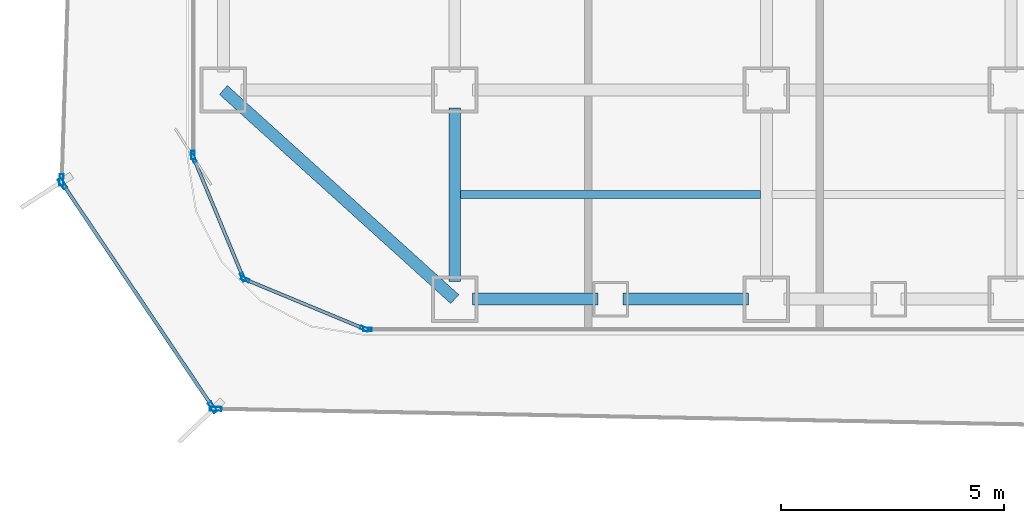
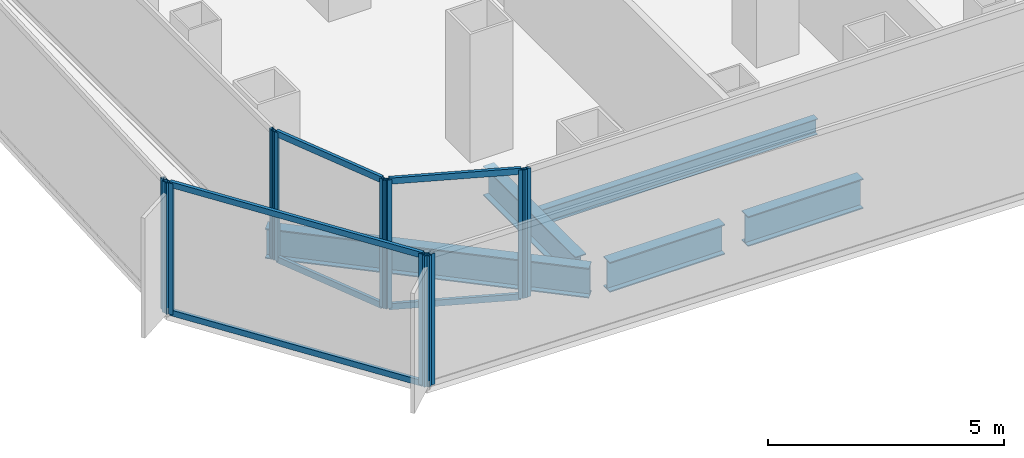
# One storey, part 2 of 22: 16 members, 5 beams, 7 elements without a shape of their own.
"""IFC4 building model written with IfcOpenShell, lengths in metres."""

import ifcopenshell
import ifcopenshell.guid

model = None  # the IFC model being written
_history = None  # IfcOwnerHistory: only IFC2X3 demands one
_inside = {}  # id of a spatial element -> (the spatial element, [elements in it])
_under = {}  # id of a project, library or spatial element -> (it, [spatial elements below it])
_declared = {}  # id of a project -> (the project, [libraries it declares])
_typed = {}  # id of a type object -> (the type object, [elements of that type])
_made_of = {}  # id of a material, layer set ... -> (it, [elements and type objects made of it])


def new_model(schema):
    """Start an empty IFC model of exactly this schema.

    Asked for "IFC4X3", IfcOpenShell would pick the latest addendum, in which some entities
    have other attributes; the version numbers below select the first issue.
    IFC2X3 requires an IfcOwnerHistory on every rooted entity: one is made here for all.
    """
    global model, _history
    if schema == "IFC4X3":
        model = ifcopenshell.file(schema_version=(4, 3, 0, 0))
    else:
        model = ifcopenshell.file(schema=schema)
    _inside.clear()
    _under.clear()
    _declared.clear()
    _typed.clear()
    _made_of.clear()
    _history = None
    if model.schema == "IFC2X3":
        org = make("IfcOrganization", Name="unknown")
        user = make(
            "IfcPersonAndOrganization",
            ThePerson=make("IfcPerson", FamilyName="unknown"),
            TheOrganization=org,
        )
        app = make(
            "IfcApplication",
            ApplicationDeveloper=org,
            Version="unknown",
            ApplicationFullName="unknown",
            ApplicationIdentifier="unknown",
        )
        _history = make(
            "IfcOwnerHistory",
            OwningUser=user,
            OwningApplication=app,
            ChangeAction="ADDED",
            CreationDate=0,
        )
    return model


def make(cls, **values):
    """One entity of the class cls with the attributes given. An attribute that is None is left unset."""
    return model.create_entity(
        cls, **{name: value for name, value in values.items() if value is not None}
    )


def rooted(cls, **values):
    """An entity with a GlobalId (a new one), such as an element, a storey or a relation."""
    return make(cls, GlobalId=ifcopenshell.guid.new(), OwnerHistory=_history, **values)


def si_unit(unit_type, name, prefix=None):
    """IfcSIUnit, for example si_unit("LENGTHUNIT", "METRE", prefix="MILLI")."""
    return make("IfcSIUnit", UnitType=unit_type, Prefix=prefix, Name=name)


def assignment(units):
    """IfcUnitAssignment: the units of a project."""
    return None if units is None else make("IfcUnitAssignment", Units=units)


def point(xyz):
    """IfcCartesianPoint."""
    return None if xyz is None else make("IfcCartesianPoint", Coordinates=xyz)


def direction(xyz):
    """IfcDirection."""
    return None if xyz is None else make("IfcDirection", DirectionRatios=xyz)


def frame(location, z_axis=None, x_axis=None):
    """IfcAxis2Placement3D, a coordinate frame: its origin and axes. An axis left out is left unset."""
    return make(
        "IfcAxis2Placement3D",
        Location=point(location),
        Axis=direction(z_axis),
        RefDirection=direction(x_axis),
    )


def frame_2d(location, x_axis=None):
    """IfcAxis2Placement2D, a coordinate frame in the plane: its origin and x axis."""
    return make(
        "IfcAxis2Placement2D", Location=point(location), RefDirection=direction(x_axis)
    )


def origin():
    """The frame at (0, 0, 0) with its axes left unset."""
    return frame((0.0, 0.0, 0.0))


def origin_2d():
    """The frame at (0, 0) in the plane with its x axis left unset."""
    return frame_2d((0.0, 0.0))


def place(relative_to, where):
    """IfcLocalPlacement: puts the frame where relative to a parent placement (None: the world)."""
    return make(
        "IfcLocalPlacement", PlacementRelTo=relative_to, RelativePlacement=where
    )


def context(
    kind, dimensions, precision=None, world=None, true_north=None, identifier=None
):
    """IfcGeometricRepresentationContext, for example the 3D "Model" context."""
    return make(
        "IfcGeometricRepresentationContext",
        ContextIdentifier=identifier,
        ContextType=kind,
        CoordinateSpaceDimension=dimensions,
        Precision=precision,
        WorldCoordinateSystem=world,
        TrueNorth=true_north,
    )


def subcontext(parent, identifier, kind, view, scale=None):
    """IfcGeometricRepresentationSubContext, for example "Body" below "Model"."""
    return make(
        "IfcGeometricRepresentationSubContext",
        ContextIdentifier=identifier,
        ContextType=kind,
        ParentContext=parent,
        TargetScale=scale,
        TargetView=view,
    )


def project(units=None, contexts=None):
    """IfcProject with its units and contexts."""
    return rooted(
        "IfcProject",
        Name="project",
        RepresentationContexts=contexts,
        UnitsInContext=assignment(units),
    )


def spatial(cls, under=None, at=None, **own):
    """A site, building, storey or space (cls), placed at a placement, below another one or the project."""
    s = rooted(cls, ObjectPlacement=at, **own)
    if under is not None:
        _under.setdefault(under.id(), (under, []))[1].append(s)
    return s


def profile(cls, at=None, kind="AREA", **sizes):
    """A parametric profile (cls). Its sizes go by their IFC names, for example OverallWidth=200.0."""
    return make(cls, ProfileType=kind, Position=at, **sizes)


def hollow_rectangle(**sizes):
    """IfcRectangleHollowProfileDef."""
    return profile("IfcRectangleHollowProfileDef", **sizes)


def i_section(**sizes):
    """IfcIShapeProfileDef."""
    return profile("IfcIShapeProfileDef", **sizes)


def extrude(swept, where, along, depth):
    """IfcExtrudedAreaSolid: the profile swept, set in the frame where, extruded along a direction by depth."""
    return make(
        "IfcExtrudedAreaSolid",
        SweptArea=swept,
        Position=where,
        ExtrudedDirection=direction(along),
        Depth=depth,
    )


def shape(context_of_items, identifier, shape_type, items):
    """IfcShapeRepresentation: the items that make up one representation, for example the "Body"."""
    return make(
        "IfcShapeRepresentation",
        ContextOfItems=context_of_items,
        RepresentationIdentifier=identifier,
        RepresentationType=shape_type,
        Items=items,
    )


def source(mapping_origin, context_of_items, identifier, shape_type, items):
    """IfcRepresentationMap: a shape defined once, which mapped items show again and again."""
    return make(
        "IfcRepresentationMap",
        MappingOrigin=mapping_origin,
        MappedRepresentation=shape(context_of_items, identifier, shape_type, items),
    )


def transform(
    local_origin,
    x_axis=None,
    y_axis=None,
    z_axis=None,
    scale=None,
    scale2=None,
    scale3=None,
    uniform=True,
):
    """IfcCartesianTransformationOperator3D, or its non-uniform kind. x_axis, y_axis, z_axis: its Axis1, 2, 3."""
    if uniform:
        return make(
            "IfcCartesianTransformationOperator3D",
            Axis1=direction(x_axis),
            Axis2=direction(y_axis),
            LocalOrigin=point(local_origin),
            Scale=scale,
            Axis3=direction(z_axis),
        )
    return make(
        "IfcCartesianTransformationOperator3DnonUniform",
        Axis1=direction(x_axis),
        Axis2=direction(y_axis),
        LocalOrigin=point(local_origin),
        Scale=scale,
        Axis3=direction(z_axis),
        Scale2=scale2,
        Scale3=scale3,
    )


def mapped(mapping_source, mapping_target):
    """IfcMappedItem: shows the shape of a source again, moved by a transform."""
    return make(
        "IfcMappedItem", MappingSource=mapping_source, MappingTarget=mapping_target
    )


def material(Name=None, Category=None):
    """IfcMaterial."""
    return make("IfcMaterial", Name=Name, Category=Category)


def layer(
    of_material, thickness, ventilated=None, Name=None, Category=None, Priority=None
):
    """IfcMaterialLayer: one layer of a wall or slab, of a material (None: an air gap)."""
    return make(
        "IfcMaterialLayer",
        Material=of_material,
        LayerThickness=thickness,
        IsVentilated=ventilated,
        Name=Name,
        Category=Category,
        Priority=Priority,
    )


def layer_set(layers, Name=None):
    """IfcMaterialLayerSet."""
    return make("IfcMaterialLayerSet", MaterialLayers=layers, LayerSetName=Name)


def material_profile(
    of_material, cross_section, Name=None, Category=None, Priority=None
):
    """IfcMaterialProfile: a cross section and its material."""
    return make(
        "IfcMaterialProfile",
        Name=Name,
        Material=of_material,
        Profile=cross_section,
        Priority=Priority,
        Category=Category,
    )


def profile_set(profiles, Name=None, composite=None):
    """IfcMaterialProfileSet."""
    return make(
        "IfcMaterialProfileSet",
        Name=Name,
        MaterialProfiles=profiles,
        CompositeProfile=composite,
    )


def made_of(thing, what):
    """Note that an element or type object is made of a material, layer set ...; save() writes the relation."""
    if what is not None:
        _made_of.setdefault(what.id(), (what, []))[1].append(thing)
    return thing


def type_object(cls, material=None, **own):
    """A type object (cls), such as IfcWallType, which elements share."""
    return made_of(rooted(cls, **own), material)


def element(
    cls,
    number,
    at=None,
    inside=None,
    cuts=None,
    type_object=None,
    material=None,
    context=None,
    identifier="Body",
    shape_type=None,
    held_by="IfcProductDefinitionShape",
    body=None,
    shapes=None,
    **own,
):
    """One element of the class cls, such as IfcWall. Its Tag is "e" and its number.

    at: its placement. inside: the storey or other place that contains it. cuts: it is an
    opening in that element (IfcRelVoidsElement). A single representation is given by context,
    identifier, shape_type and body (its items); several are given by shapes. held_by: the class
    of the entity that holds the representations. save() writes the other relations.
    """
    e = rooted(cls, Tag="e%d" % number, ObjectPlacement=at, **own)
    if body is not None:
        shapes = [shape(context, identifier, shape_type, body)]
    if shapes is not None:
        e.Representation = make(held_by, Representations=shapes)
    if inside is not None:
        _inside.setdefault(inside.id(), (inside, []))[1].append(e)
    if cuts is not None:
        rooted(
            "IfcRelVoidsElement", RelatingBuildingElement=cuts, RelatedOpeningElement=e
        )
    if type_object is not None:
        _typed.setdefault(type_object.id(), (type_object, []))[1].append(e)
    return made_of(e, material)


def aggregate(whole, parts):
    """IfcRelAggregates: a whole, such as a stair, and the parts it consists of."""
    return rooted("IfcRelAggregates", RelatingObject=whole, RelatedObjects=parts)


def save(model, path):
    """Write the relations noted so far, then the file.

    IfcRelAggregates (storeys below a building ...), IfcRelContainedInSpatialStructure (elements
    in a storey), IfcRelDefinesByType, IfcRelAssociatesMaterial and IfcRelDeclares: one each for
    every whole, place, type object, material and project.
    """
    for whole, parts in _under.values():
        aggregate(whole, parts)
    for where, things in _inside.values():
        rooted(
            "IfcRelContainedInSpatialStructure",
            RelatedElements=things,
            RelatingStructure=where,
        )
    for kind, things in _typed.values():
        rooted("IfcRelDefinesByType", RelatedObjects=things, RelatingType=kind)
    for what, things in _made_of.values():
        rooted("IfcRelAssociatesMaterial", RelatedObjects=things, RelatingMaterial=what)
    for by, libraries in _declared.values():
        rooted("IfcRelDeclares", RelatingContext=by, RelatedDefinitions=libraries)
    model.write(path)


model = new_model("IFC4")

# Units and contexts
model_context = context("Model", 3, precision=1e-05, world=origin(), true_north=direction((0.0, 1.0)))
body_context = subcontext(model_context, "Body", "Model", "MODEL_VIEW")
ifc_project = project(units=[si_unit("LENGTHUNIT", "METRE"), si_unit("AREAUNIT", "SQUARE_METRE"), si_unit("VOLUMEUNIT", "CUBIC_METRE"), si_unit("PLANEANGLEUNIT", "RADIAN"), si_unit("MASSUNIT", "GRAM", prefix="KILO")], contexts=[model_context])

# Site, building, storey
site_placement = place(None, origin())
site = spatial("IfcSite", under=ifc_project, at=site_placement, CompositionType="ELEMENT")
building_placement = place(site_placement, origin())
building = spatial("IfcBuilding", under=site, at=building_placement, Name="Kolveth Station Tower", CompositionType="ELEMENT")
storey_placement = place(building_placement, frame((0.0, 0.0, 51.300048828125)))
storey = spatial("IfcBuildingStorey", under=building, at=storey_placement, Name="L13", CompositionType="ELEMENT", Elevation=51.300048828125)

# Beams
ifc_material_1 = material(Name="Steel S355", Category="steel")
ifc_material_profile_1 = material_profile(ifc_material_1, i_section(OverallWidth=0.26904296875, OverallDepth=0.77490234375, WebThickness=0.01708984375, FlangeThickness=0.0283203125, at=origin_2d()), Name="W760x220")
ifc_profile_set_1 = profile_set([ifc_material_profile_1], Name="Steel S355")
beam_type_1 = type_object("IfcBeamType", Name="Beam_SP1", PredefinedType="SPANDREL", material=ifc_profile_set_1)
shared_shape_1 = source(origin(), body_context, "Body", "SweptSolid", [
    extrude(i_section(OverallWidth=0.26904296875, OverallDepth=0.77490234375, WebThickness=0.01708984375, FlangeThickness=0.0283203125, at=origin_2d()), origin(), (0.0, 0.0, 1.0), 7.00927734375),
])
beam_1_placement = place(storey_placement, frame((0.800048828125, 5.5, -0.66748046875), z_axis=(0.741874009795, -0.670539300557, 0.0), x_axis=(0.670539300557, 0.741874009795, 0.0)))
element("IfcBeam", 1, at=beam_1_placement, inside=storey, type_object=beam_type_1, Name="L13 Corner Edge Girder BM-L13-CNR-SW", PredefinedType="SPANDREL", context=body_context, shape_type="MappedRepresentation", body=[
    mapped(shared_shape_1, transform((0.0, 0.0, 0.0), x_axis=(1.0, 0.0, 0.0), y_axis=(0.0, 1.0, 0.0), z_axis=(0.0, 0.0, 1.0), scale=1.0)),
])
shared_shape_2 = source(origin(), body_context, "Body", "SweptSolid", [
    extrude(i_section(OverallWidth=0.26904296875, OverallDepth=0.77490234375, WebThickness=0.01708984375, FlangeThickness=0.0283203125, at=origin_2d()), origin(), (0.0, 0.0, 1.0), 2.820068359375),
])
for number, where, z_axis, x_axis, name in (
    (2, (6.39990234375, 0.800048828125, -0.66748046875), (1.0, 0.0, 0.0), (0.0, 1.0, 0.0), "L13 Perimeter Spandrel BM-L13-PS-1"),
    (3, (9.780029296875, 0.800048828125, -0.66748046875), (1.0, 0.0, 0.0), (0.0, 1.0, 0.0), "L13 Perimeter Spandrel BM-L13-PS-2"),
):
    element("IfcBeam", number, at=place(storey_placement, frame(where, z_axis=z_axis, x_axis=x_axis)), inside=storey, type_object=beam_type_1, Name=name, PredefinedType="SPANDREL", context=body_context, shape_type="MappedRepresentation", body=[
        mapped(shared_shape_2, transform((0.0, 0.0, 0.0), x_axis=(1.0, 0.0, 0.0), y_axis=(0.0, 1.0, 0.0), z_axis=(0.0, 0.0, 1.0), scale=1.0)),
    ])
ifc_material_profile_2 = material_profile(ifc_material_1, i_section(OverallWidth=0.26708984375, OverallDepth=0.76611328125, WebThickness=0.014892578125, FlangeThickness=0.023681640625, at=origin_2d()), Name="W760x185")
ifc_profile_set_2 = profile_set([ifc_material_profile_2], Name="Steel S355")
beam_type_2 = type_object("IfcBeamType", Name="Beam_B3", PredefinedType="BEAM", material=ifc_profile_set_2)
shared_shape_3 = source(origin(), body_context, "Body", "SweptSolid", [
    extrude(i_section(OverallWidth=0.26708984375, OverallDepth=0.76611328125, WebThickness=0.014892578125, FlangeThickness=0.023681640625, at=origin_2d()), origin(), (0.0, 0.0, 1.0), 3.900146484375),
])
beam_2_placement = place(storey_placement, frame((6.0, 1.199951171875, -0.6630859375), z_axis=(0.0, 1.0, 0.0), x_axis=(-1.0, 0.0, 0.0)))
element("IfcBeam", 4, at=beam_2_placement, inside=storey, type_object=beam_type_2, Name="L13 Primary Girder BM-L13-GX60-1", PredefinedType="BEAM", context=body_context, shape_type="MappedRepresentation", body=[
    mapped(shared_shape_3, transform((0.0, 0.0, 0.0), x_axis=(1.0, 0.0, 0.0), y_axis=(0.0, 1.0, 0.0), z_axis=(0.0, 0.0, 1.0), scale=1.0)),
])
ifc_material_profile_3 = material_profile(ifc_material_1, i_section(OverallWidth=0.177978515625, OverallDepth=0.406982421875, WebThickness=0.0078125, FlangeThickness=0.0126953125, at=origin_2d()), Name="W410x60")
ifc_profile_set_3 = profile_set([ifc_material_profile_3], Name="Steel S355")
beam_type_3 = type_object("IfcBeamType", Name="Beam_J1", PredefinedType="JOIST", material=ifc_profile_set_3)
shared_shape_4 = source(origin(), body_context, "Body", "SweptSolid", [
    extrude(i_section(OverallWidth=0.177978515625, OverallDepth=0.406982421875, WebThickness=0.0078125, FlangeThickness=0.0126953125, at=origin_2d()), origin(), (0.0, 0.0, 1.0), 6.73681640625),
])
beam_3_placement = place(storey_placement, frame((6.131591796875, 3.14990234375, -0.483642578125), z_axis=(1.0, 0.0, 0.0), x_axis=(0.0, 1.0, 0.0)))
element("IfcBeam", 5, at=beam_3_placement, inside=storey, type_object=beam_type_3, Name="L13 Secondary Joist JST-L13-2-1", PredefinedType="JOIST", context=body_context, shape_type="MappedRepresentation", body=[
    mapped(shared_shape_4, transform((0.0, 0.0, 0.0), x_axis=(1.0, 0.0, 0.0), y_axis=(0.0, 1.0, 0.0), z_axis=(0.0, 0.0, 1.0), scale=1.0)),
])

# Curtain wall, member
ifc_material_2 = material(Name="Aluminium 6063-T6 and low-E dark glass", Category="aluminium")
ifc_layer_1 = layer(ifc_material_2, 0.179931640625)
ifc_layer_set_1 = layer_set([ifc_layer_1], Name="Aluminium 6063-T6 and low-E dark glass")
curtain_wall_type_1 = type_object("IfcCurtainWallType", Name="CurtainWall_CW-Z1", PredefinedType="NOTDEFINED", material=ifc_layer_set_1)
curtain_wall_1_placement = place(storey_placement, origin())
curtain_wall_1 = element("IfcCurtainWall", 6, at=curtain_wall_1_placement, inside=storey, type_object=curtain_wall_type_1, Name="L13 Inner Thermal Curtain Wall 9", PredefinedType="NOTDEFINED")
ifc_material_3 = material(Name="Black anodized aluminium 6063-T6", Category="aluminium")
ifc_material_profile_4 = material_profile(ifc_material_3, hollow_rectangle(XDim=0.074951171875, YDim=0.18994140625, WallThickness=0.0048828125, at=origin_2d()), Name="ALU-75x190x5")
ifc_profile_set_4 = profile_set([ifc_material_profile_4], Name="Black anodized aluminium 6063-T6")
member_type_1 = type_object("IfcMemberType", Name="Mullion_ML1", PredefinedType="MULLION", material=ifc_profile_set_4)
shared_shape_5 = source(origin(), body_context, "Body", "SweptSolid", [
    extrude(hollow_rectangle(XDim=0.074951171875, YDim=0.18994140625, WallThickness=0.0048828125, at=origin_2d()), origin(), (0.0, 0.0, 1.0), 3.320068359375),
])
member_1_placement = place(storey_placement, frame((0.1201171875, 4.03759765625, 0.0), z_axis=(0.0, 0.0, 1.0), x_axis=(1.0, 0.0, 0.0)))
member_1 = element("IfcMember", 7, at=member_1_placement, type_object=member_type_1, Name="CW-Z1 mullion 2", PredefinedType="MULLION", context=body_context, shape_type="MappedRepresentation", body=[
    mapped(shared_shape_5, transform((0.0, 0.0, 0.0), x_axis=(1.0, 0.0, 0.0), y_axis=(0.0, 1.0, 0.0), z_axis=(0.0, 0.0, 1.0), scale=1.0)),
])
aggregate(curtain_wall_1, [member_1])

# Curtain wall, members
curtain_wall_2_placement = place(storey_placement, origin())
curtain_wall_2 = element("IfcCurtainWall", 8, at=curtain_wall_2_placement, inside=storey, type_object=curtain_wall_type_1, Name="L13 Inner Thermal Curtain Wall 10", PredefinedType="NOTDEFINED")
member_2_placement = place(storey_placement, frame((0.13427734375, 3.96533203125, 0.0), z_axis=(0.0, 0.0, 1.0), x_axis=(0.923883857728, 0.382672990201, 0.0)))
member_2 = element("IfcMember", 9, at=member_2_placement, type_object=member_type_1, Name="CW-Z1 mullion 1", PredefinedType="MULLION", context=body_context, shape_type="MappedRepresentation", body=[
    mapped(shared_shape_5, transform((0.0, 0.0, 0.0), x_axis=(1.0, 0.0, 0.0), y_axis=(0.0, 1.0, 0.0), z_axis=(0.0, 0.0, 1.0), scale=1.0)),
])
member_3_placement = place(storey_placement, frame((1.241943359375, 1.291015625, 0.0), z_axis=(0.0, 0.0, 1.0), x_axis=(0.923883857728, 0.382672990201, 0.0)))
member_3 = element("IfcMember", 10, at=member_3_placement, type_object=member_type_1, Name="CW-Z1 mullion 2", PredefinedType="MULLION", context=body_context, shape_type="MappedRepresentation", body=[
    mapped(shared_shape_5, transform((0.0, 0.0, 0.0), x_axis=(1.0, 0.0, 0.0), y_axis=(0.0, 1.0, 0.0), z_axis=(0.0, 0.0, 1.0), scale=1.0)),
])

curtain_wall_3_placement = place(storey_placement, origin())
curtain_wall_3 = element("IfcCurtainWall", 11, at=curtain_wall_3_placement, inside=storey, type_object=curtain_wall_type_1, Name="L13 Inner Thermal Curtain Wall 11", PredefinedType="NOTDEFINED")
member_4_placement = place(storey_placement, frame((1.291015625, 1.241943359375, 0.0), z_axis=(0.0, 0.0, 1.0), x_axis=(0.382672990201, 0.923883857728, 0.0)))
member_4 = element("IfcMember", 12, at=member_4_placement, type_object=member_type_1, Name="CW-Z1 mullion 1", PredefinedType="MULLION", context=body_context, shape_type="MappedRepresentation", body=[
    mapped(shared_shape_5, transform((0.0, 0.0, 0.0), x_axis=(1.0, 0.0, 0.0), y_axis=(0.0, 1.0, 0.0), z_axis=(0.0, 0.0, 1.0), scale=1.0)),
])
member_5_placement = place(storey_placement, frame((3.96533203125, 0.13427734375, 0.0), z_axis=(0.0, 0.0, 1.0), x_axis=(0.382672990201, 0.923883857728, 0.0)))
member_5 = element("IfcMember", 13, at=member_5_placement, type_object=member_type_1, Name="CW-Z1 mullion 2", PredefinedType="MULLION", context=body_context, shape_type="MappedRepresentation", body=[
    mapped(shared_shape_5, transform((0.0, 0.0, 0.0), x_axis=(1.0, 0.0, 0.0), y_axis=(0.0, 1.0, 0.0), z_axis=(0.0, 0.0, 1.0), scale=1.0)),
])

# Curtain wall, member
curtain_wall_4_placement = place(storey_placement, origin())
curtain_wall_4 = element("IfcCurtainWall", 14, at=curtain_wall_4_placement, inside=storey, type_object=curtain_wall_type_1, Name="L13 Inner Thermal Curtain Wall 12", PredefinedType="NOTDEFINED")
member_6_placement = place(storey_placement, frame((4.03759765625, 0.1201171875, 0.0), z_axis=(0.0, 0.0, 1.0), x_axis=(0.0, 1.0, 0.0)))
member_6 = element("IfcMember", 15, at=member_6_placement, type_object=member_type_1, Name="CW-Z1 mullion 1", PredefinedType="MULLION", context=body_context, shape_type="MappedRepresentation", body=[
    mapped(shared_shape_5, transform((0.0, 0.0, 0.0), x_axis=(1.0, 0.0, 0.0), y_axis=(0.0, 1.0, 0.0), z_axis=(0.0, 0.0, 1.0), scale=1.0)),
])
aggregate(curtain_wall_4, [member_6])

# Member
ifc_material_profile_5 = material_profile(ifc_material_3, hollow_rectangle(XDim=0.074951171875, YDim=0.159912109375, WallThickness=0.0048828125, at=origin_2d()), Name="ALU-75x160x5")
ifc_profile_set_5 = profile_set([ifc_material_profile_5], Name="Black anodized aluminium 6063-T6")
member_type_2 = type_object("IfcMemberType", Name="Transom_TR1", PredefinedType="USERDEFINED", material=ifc_profile_set_5)
shared_shape_6 = source(origin(), body_context, "Body", "SweptSolid", [
    extrude(hollow_rectangle(XDim=0.074951171875, YDim=0.159912109375, WallThickness=0.0048828125, at=origin_2d()), origin(), (0.0, 0.0, 1.0), 2.819580078125),
])
member_7_placement = place(storey_placement, frame((0.148681640625, 3.9306640625, 0.037353515625), z_axis=(0.382708655389, -0.923869084389, 0.0), x_axis=(0.923869084389, 0.382708655389, 0.0)))
member_7 = element("IfcMember", 16, at=member_7_placement, type_object=member_type_2, Name="CW-Z1 transom 1.1", ObjectType="TRANSOM", PredefinedType="USERDEFINED", context=body_context, shape_type="MappedRepresentation", body=[
    mapped(shared_shape_6, transform((0.0, 0.0, 0.0), x_axis=(1.0, 0.0, 0.0), y_axis=(0.0, 1.0, 0.0), z_axis=(0.0, 0.0, 1.0), scale=1.0)),
])

member_8_placement = place(storey_placement, frame((0.148681640625, 3.9306640625, 3.282470703125), z_axis=(0.382708655389, -0.923869084389, 0.0), x_axis=(0.923869084389, 0.382708655389, 0.0)))
member_8 = element("IfcMember", 17, at=member_8_placement, type_object=member_type_2, Name="CW-Z1 transom 1.2", ObjectType="TRANSOM", PredefinedType="USERDEFINED", context=body_context, shape_type="MappedRepresentation", body=[
    mapped(shared_shape_6, transform((0.0, 0.0, 0.0), x_axis=(1.0, 0.0, 0.0), y_axis=(0.0, 1.0, 0.0), z_axis=(0.0, 0.0, 1.0), scale=1.0)),
])

aggregate(curtain_wall_2, [member_2, member_3, member_7, member_8])

member_9_placement = place(storey_placement, frame((1.32568359375, 1.227783203125, 0.037353515625), z_axis=(0.923869084389, -0.382708655389, 0.0), x_axis=(0.382708655389, 0.923869084389, 0.0)))
member_9 = element("IfcMember", 18, at=member_9_placement, type_object=member_type_2, Name="CW-Z1 transom 1.1", ObjectType="TRANSOM", PredefinedType="USERDEFINED", context=body_context, shape_type="MappedRepresentation", body=[
    mapped(shared_shape_6, transform((0.0, 0.0, 0.0), x_axis=(1.0, 0.0, 0.0), y_axis=(0.0, 1.0, 0.0), z_axis=(0.0, 0.0, 1.0), scale=1.0)),
])

member_10_placement = place(storey_placement, frame((1.32568359375, 1.227783203125, 3.282470703125), z_axis=(0.923869084389, -0.382708655389, 0.0), x_axis=(0.382708655389, 0.923869084389, 0.0)))
member_10 = element("IfcMember", 19, at=member_10_placement, type_object=member_type_2, Name="CW-Z1 transom 1.2", ObjectType="TRANSOM", PredefinedType="USERDEFINED", context=body_context, shape_type="MappedRepresentation", body=[
    mapped(shared_shape_6, transform((0.0, 0.0, 0.0), x_axis=(1.0, 0.0, 0.0), y_axis=(0.0, 1.0, 0.0), z_axis=(0.0, 0.0, 1.0), scale=1.0)),
])

aggregate(curtain_wall_3, [member_4, member_5, member_9, member_10])

# Curtain wall, member
ifc_material_4 = material(Name="Black anodized aluminium 6063-T6 and dark solar glass", Category="aluminium")
ifc_layer_2 = layer(ifc_material_4, 0.159912109375)
ifc_layer_set_2 = layer_set([ifc_layer_2], Name="Black anodized aluminium 6063-T6 and dark solar glass")
curtain_wall_type_2 = type_object("IfcCurtainWallType", Name="OUTER SKIN CW-OS", PredefinedType="NOTDEFINED", material=ifc_layer_set_2)
curtain_wall_5_placement = place(storey_placement, origin())
curtain_wall_5 = element("IfcCurtainWall", 20, at=curtain_wall_5_placement, inside=storey, type_object=curtain_wall_type_2, Name="L13 Outer Ventilated Skin Curtain Wall 6", PredefinedType="NOTDEFINED")
ifc_material_profile_6 = material_profile(ifc_material_3, hollow_rectangle(XDim=0.090087890625, YDim=0.260009765625, WallThickness=0.0048828125, at=origin_2d()), Name="ALU-90x260x5")
ifc_profile_set_6 = profile_set([ifc_material_profile_6], Name="Black anodized aluminium 6063-T6")
member_type_3 = type_object("IfcMemberType", Name="FIN MULLION ML-OS", PredefinedType="MULLION", material=ifc_profile_set_6)
shared_shape_7 = source(origin(), body_context, "Body", "SweptSolid", [
    extrude(hollow_rectangle(XDim=0.090087890625, YDim=0.260009765625, WallThickness=0.0048828125, at=origin_2d()), origin(), (0.0, 0.0, 1.0), 3.389892578125),
])
member_11_placement = place(storey_placement, frame((-2.838623046875, 3.478759765625, 0.0), z_axis=(0.0, 0.0, 1.0), x_axis=(0.999468490786, -0.03259963076, 0.0)))
member_11 = element("IfcMember", 21, at=member_11_placement, type_object=member_type_3, Name="CW-OS mullion 2", PredefinedType="MULLION", context=body_context, shape_type="MappedRepresentation", body=[
    mapped(shared_shape_7, transform((0.0, 0.0, 0.0), x_axis=(1.0, 0.0, 0.0), y_axis=(0.0, 1.0, 0.0), z_axis=(0.0, 0.0, 1.0), scale=1.0)),
])
aggregate(curtain_wall_5, [member_11])

# Curtain wall, members
curtain_wall_6_placement = place(storey_placement, origin())
curtain_wall_6 = element("IfcCurtainWall", 22, at=curtain_wall_6_placement, inside=storey, type_object=curtain_wall_type_2, Name="L13 Outer Ventilated Skin Curtain Wall 7", PredefinedType="NOTDEFINED")
member_12_placement = place(storey_placement, frame((-2.81494140625, 3.396484375, 0.0), z_axis=(0.0, 0.0, 1.0), x_axis=(0.830282696692, 0.557342483194, 0.0)))
member_12 = element("IfcMember", 23, at=member_12_placement, type_object=member_type_3, Name="CW-OS mullion 1", PredefinedType="MULLION", context=body_context, shape_type="MappedRepresentation", body=[
    mapped(shared_shape_7, transform((0.0, 0.0, 0.0), x_axis=(1.0, 0.0, 0.0), y_axis=(0.0, 1.0, 0.0), z_axis=(0.0, 0.0, 1.0), scale=1.0)),
])
member_13_placement = place(storey_placement, frame((0.55810546875, -1.62841796875, 0.0), z_axis=(0.0, 0.0, 1.0), x_axis=(0.830282696692, 0.557342483194, 0.0)))
member_13 = element("IfcMember", 24, at=member_13_placement, type_object=member_type_3, Name="CW-OS mullion 2", PredefinedType="MULLION", context=body_context, shape_type="MappedRepresentation", body=[
    mapped(shared_shape_7, transform((0.0, 0.0, 0.0), x_axis=(1.0, 0.0, 0.0), y_axis=(0.0, 1.0, 0.0), z_axis=(0.0, 0.0, 1.0), scale=1.0)),
])

# Curtain wall, member
curtain_wall_7_placement = place(storey_placement, origin())
curtain_wall_7 = element("IfcCurtainWall", 25, at=curtain_wall_7_placement, inside=storey, type_object=curtain_wall_type_2, Name="L13 Outer Ventilated Skin Curtain Wall 8", PredefinedType="NOTDEFINED")
member_14_placement = place(storey_placement, frame((0.628173828125, -1.666748046875, 0.0), z_axis=(0.0, 0.0, 1.0), x_axis=(0.019382765192, 0.99981213656, 0.0)))
member_14 = element("IfcMember", 26, at=member_14_placement, type_object=member_type_3, Name="CW-OS mullion 1", PredefinedType="MULLION", context=body_context, shape_type="MappedRepresentation", body=[
    mapped(shared_shape_7, transform((0.0, 0.0, 0.0), x_axis=(1.0, 0.0, 0.0), y_axis=(0.0, 1.0, 0.0), z_axis=(0.0, 0.0, 1.0), scale=1.0)),
])
aggregate(curtain_wall_7, [member_14])

# Member
ifc_material_profile_7 = material_profile(ifc_material_3, hollow_rectangle(XDim=0.080078125, YDim=0.14990234375, WallThickness=0.0048828125, at=origin_2d()), Name="ALU-80x150x5")
ifc_profile_set_7 = profile_set([ifc_material_profile_7], Name="Black anodized aluminium 6063-T6")
member_type_4 = type_object("IfcMemberType", Name="Transom_TR-OS", PredefinedType="USERDEFINED", material=ifc_profile_set_7)
shared_shape_8 = source(origin(), body_context, "Body", "SweptSolid", [
    extrude(hollow_rectangle(XDim=0.080078125, YDim=0.14990234375, WallThickness=0.0048828125, at=origin_2d()), origin(), (0.0, 0.0, 1.0), 5.9619140625),
])
member_15_placement = place(storey_placement, frame((-2.789794921875, 3.359130859375, 0.0400390625), z_axis=(0.557324507817, -0.830294762712, 0.0), x_axis=(0.830294762712, 0.557324507817, 0.0)))
member_15 = element("IfcMember", 27, at=member_15_placement, type_object=member_type_4, Name="CW-OS transom 1.1", ObjectType="TRANSOM", PredefinedType="USERDEFINED", context=body_context, shape_type="MappedRepresentation", body=[
    mapped(shared_shape_8, transform((0.0, 0.0, 0.0), x_axis=(1.0, 0.0, 0.0), y_axis=(0.0, 1.0, 0.0), z_axis=(0.0, 0.0, 1.0), scale=1.0)),
])

member_16_placement = place(storey_placement, frame((-2.789794921875, 3.359130859375, 3.349853515625), z_axis=(0.557324507817, -0.830294762712, 0.0), x_axis=(0.830294762712, 0.557324507817, 0.0)))
member_16 = element("IfcMember", 28, at=member_16_placement, type_object=member_type_4, Name="CW-OS transom 1.2", ObjectType="TRANSOM", PredefinedType="USERDEFINED", context=body_context, shape_type="MappedRepresentation", body=[
    mapped(shared_shape_8, transform((0.0, 0.0, 0.0), x_axis=(1.0, 0.0, 0.0), y_axis=(0.0, 1.0, 0.0), z_axis=(0.0, 0.0, 1.0), scale=1.0)),
])

aggregate(curtain_wall_6, [member_12, member_13, member_15, member_16])

save(model, "model.ifc")
